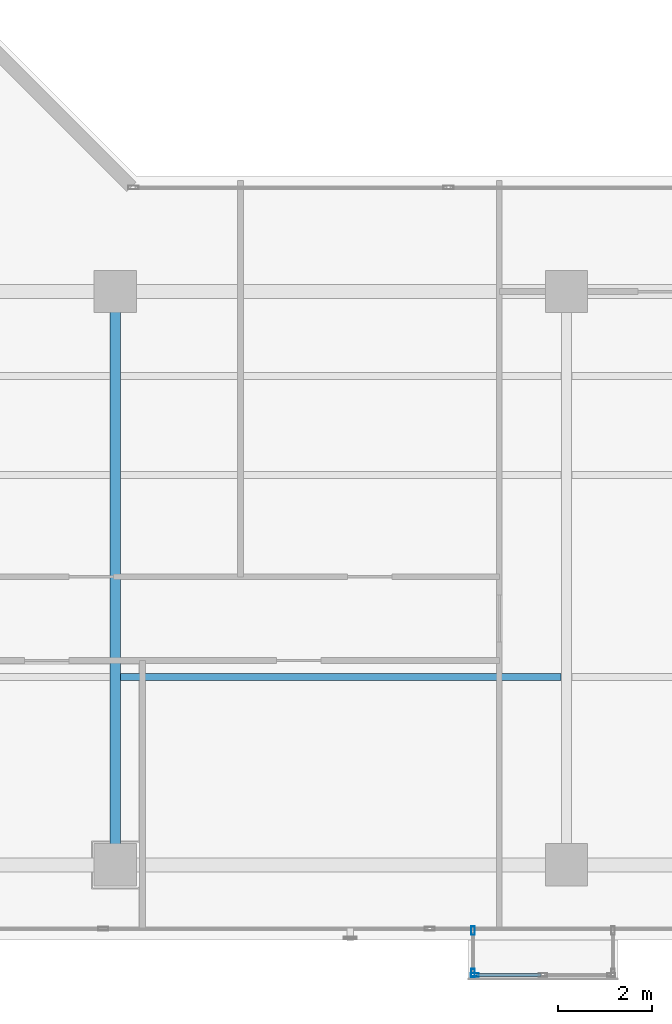
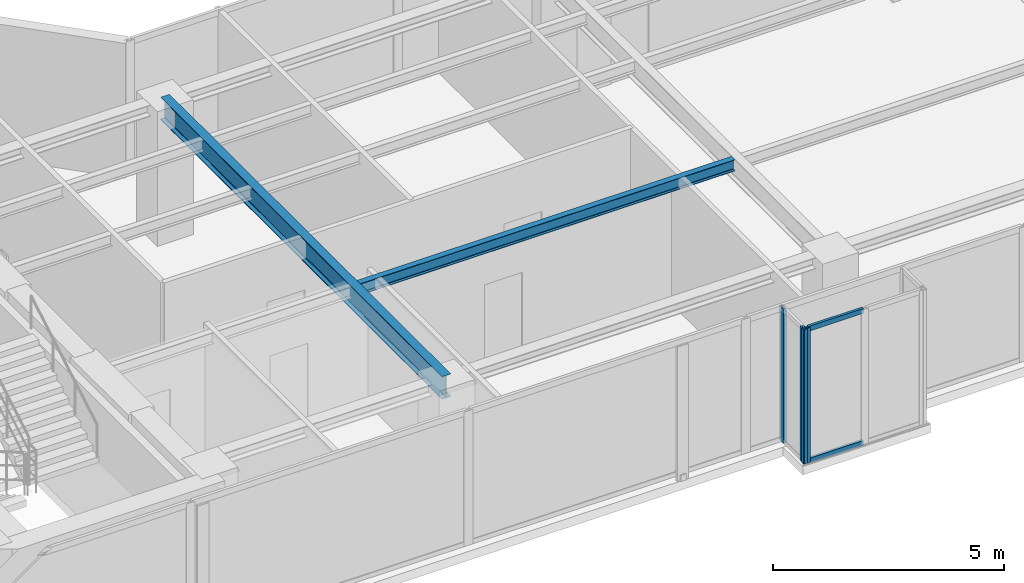
# One storey, part 5 of 24: 5 members, 2 beams, 2 elements without a shape of their own.
"""IFC4 building model written with IfcOpenShell, lengths in metres."""

from ifc_helpers import new_model, si_unit, direction, frame, origin, origin_with_axes, origin_2d, place, context, subcontext, project, spatial, hollow_rectangle, i_section, extrude, source, transform, mapped, material, layer, layer_set, material_profile, profile_set, type_object, element, aggregate, save


model = new_model("IFC4")

# Units and contexts
model_context = context("Model", 3, precision=1e-05, world=origin(), true_north=direction((0.0, 1.0)))
body_context = subcontext(model_context, "Body", "Model", "MODEL_VIEW")
ifc_project = project(units=[si_unit("LENGTHUNIT", "METRE"), si_unit("AREAUNIT", "SQUARE_METRE"), si_unit("VOLUMEUNIT", "CUBIC_METRE"), si_unit("PLANEANGLEUNIT", "RADIAN"), si_unit("MASSUNIT", "GRAM", prefix="KILO")], contexts=[model_context])

# Site, building, storey
site_placement = place(None, origin())
site = spatial("IfcSite", under=ifc_project, at=site_placement, CompositionType="ELEMENT")
building_placement = place(site_placement, origin())
building = spatial("IfcBuilding", under=site, at=building_placement, Name="Kolvaren Waterfront Exchange", CompositionType="ELEMENT")
storey_placement = place(building_placement, frame((0.0, 0.0, 316.0)))
storey = spatial("IfcBuildingStorey", under=building, at=storey_placement, Name="L81", CompositionType="ELEMENT", Elevation=316.0)

# Beams
ifc_material_1 = material(Name="Steel S355", Category="steel")
ifc_material_profile_1 = material_profile(ifc_material_1, i_section(OverallWidth=0.14990234375, OverallDepth=0.300048828125, WebThickness=0.007080078125, FlangeThickness=0.0107421875, FilletRadius=0.014892578125, at=origin_2d()), Name="IPE300")
ifc_profile_set_1 = profile_set([ifc_material_profile_1], Name="Steel S355")
beam_type_1 = type_object("IfcBeamType", Name="STR-BM-IPE300", PredefinedType="JOIST", material=ifc_profile_set_1)
beam_1_placement = place(storey_placement, frame((27.31201171875, 9.199951171875, 3.409912109375), z_axis=(1.0, 0.0, 0.0), x_axis=(0.0, 1.0, 0.0)))
element("IfcBeam", 1, at=beam_1_placement, inside=storey, type_object=beam_type_1, Name="L81 east-arm composite joist 2B", PredefinedType="JOIST", context=body_context, shape_type="SweptSolid", body=[
    extrude(i_section(OverallWidth=0.14990234375, OverallDepth=0.300048828125, WebThickness=0.007080078125, FlangeThickness=0.0107421875, FilletRadius=0.014892578125, at=origin_2d()), origin(), (0.0, 0.0, 1.0), 9.3759765625),
])
ifc_material_profile_2 = material_profile(ifc_material_1, i_section(OverallWidth=0.219970703125, OverallDepth=0.60009765625, WebThickness=0.011962890625, FlangeThickness=0.01904296875, FilletRadius=0.02392578125, at=origin_2d()), Name="IPE600")
ifc_profile_set_2 = profile_set([ifc_material_profile_2], Name="Steel S355")
beam_type_2 = type_object("IfcBeamType", Name="STR-BM-IPE600", PredefinedType="BEAM", material=ifc_profile_set_2)
beam_2_placement = place(storey_placement, frame((27.199951171875, 5.199951171875, 3.260009765625), z_axis=(0.0, 1.0, 0.0), x_axis=(-1.0, 0.0, 0.0)))
element("IfcBeam", 2, at=beam_2_placement, inside=storey, type_object=beam_type_2, Name="L81 east-arm transverse girder X27", PredefinedType="BEAM", context=body_context, shape_type="SweptSolid", body=[
    extrude(i_section(OverallWidth=0.219970703125, OverallDepth=0.60009765625, WebThickness=0.011962890625, FlangeThickness=0.01904296875, FilletRadius=0.02392578125, at=origin_2d()), origin(), (0.0, 0.0, 1.0), 12.199951171875),
])

# Curtain wall, members
ifc_material_2 = material(Name="Anodised bronze aluminium 6063-T6", Category="aluminium")
ifc_layer = layer(ifc_material_2, 0.219970703125, Name="Anodised bronze aluminium 6063-T6")
ifc_layer_set = layer_set([ifc_layer], Name="Anodised bronze aluminium 6063-T6")
curtain_wall_type = type_object("IfcCurtainWallType", Name="ARC-CW-SYS3", PredefinedType="USERDEFINED", material=ifc_layer_set)
curtain_wall_1_placement = place(storey_placement, origin())
curtain_wall_1 = element("IfcCurtainWall", 3, at=curtain_wall_1_placement, inside=storey, type_object=curtain_wall_type, Name="L81 stick curtain wall CW3 (CW-L81-BOX)", ObjectType="STICK CURTAIN WALL", PredefinedType="USERDEFINED")
ifc_material_profile_3 = material_profile(ifc_material_2, hollow_rectangle(XDim=0.06494140625, YDim=0.1298828125, WallThickness=0.00390625, at=origin_2d()), Name="ALU-TRN-130x65x4")
ifc_profile_set_3 = profile_set([ifc_material_profile_3], Name="Anodised bronze aluminium 6063-T6")
member_type_1 = type_object("IfcMemberType", Name="ARC-CWT-130", PredefinedType="USERDEFINED", material=ifc_profile_set_3)
shared_shape_1 = source(origin_with_axes(), body_context, "Body", "SweptSolid", [
    extrude(hollow_rectangle(XDim=0.06494140625, YDim=0.1298828125, WallThickness=0.00390625, at=origin_2d()), origin(), (0.0, 0.0, 1.0), 1.37744140625),
])
member_1_placement = place(storey_placement, frame((34.885009765625, 2.860107421875, 0.032470703125), z_axis=(1.0, 0.0, 0.0), x_axis=(0.0, 1.0, 0.0)))
member_1 = element("IfcMember", 4, at=member_1_placement, type_object=member_type_1, Name="CW3 transom 1.1", ObjectType="TRANSOM", PredefinedType="USERDEFINED", context=body_context, shape_type="MappedRepresentation", body=[
    mapped(shared_shape_1, transform((0.0, 0.0, 0.0), x_axis=(1.0, 0.0, 0.0), y_axis=(0.0, 1.0, 0.0), z_axis=(0.0, 0.0, 1.0), scale=1.0)),
])
member_2_placement = place(storey_placement, frame((34.885009765625, 2.860107421875, 3.527587890625), z_axis=(1.0, 0.0, 0.0), x_axis=(0.0, 1.0, 0.0)))
member_2 = element("IfcMember", 5, at=member_2_placement, type_object=member_type_1, Name="CW3 transom 1.2", ObjectType="TRANSOM", PredefinedType="USERDEFINED", context=body_context, shape_type="MappedRepresentation", body=[
    mapped(shared_shape_1, transform((0.0, 0.0, 0.0), x_axis=(1.0, 0.0, 0.0), y_axis=(0.0, 1.0, 0.0), z_axis=(0.0, 0.0, 1.0), scale=1.0)),
])

curtain_wall_2_placement = place(storey_placement, origin())
curtain_wall_2 = element("IfcCurtainWall", 6, at=curtain_wall_2_placement, inside=storey, type_object=curtain_wall_type, Name="L81 stick curtain wall CW3 (CW-L81-BOX-W)", ObjectType="STICK CURTAIN WALL", PredefinedType="USERDEFINED")
ifc_material_profile_4 = material_profile(ifc_material_2, hollow_rectangle(XDim=0.074951171875, YDim=0.179931640625, WallThickness=0.00439453125, at=origin_2d()), Name="ALU-MUL-180x75x4.5")
ifc_profile_set_4 = profile_set([ifc_material_profile_4], Name="Anodised bronze aluminium 6063-T6")
member_type_2 = type_object("IfcMemberType", Name="ARC-CWM-180", PredefinedType="MULLION", material=ifc_profile_set_4)
shared_shape_2 = source(origin_with_axes(), body_context, "Body", "SweptSolid", [
    extrude(hollow_rectangle(XDim=0.074951171875, YDim=0.179931640625, WallThickness=0.00439453125, at=origin_2d()), origin(), (0.0, 0.0, 1.0), 3.56005859375),
])
member_3_placement = place(storey_placement, frame((34.81005859375, 3.802490234375, 0.0), z_axis=(0.0, 0.0, 1.0), x_axis=(1.0, 0.0, 0.0)))
member_3 = element("IfcMember", 7, at=member_3_placement, type_object=member_type_2, Name="CW3 mullion 1", PredefinedType="MULLION", context=body_context, shape_type="MappedRepresentation", body=[
    mapped(shared_shape_2, transform((0.0, 0.0, 0.0), x_axis=(1.0, 0.0, 0.0), y_axis=(0.0, 1.0, 0.0), z_axis=(0.0, 0.0, 1.0), scale=1.0)),
])
member_4_placement = place(storey_placement, frame((34.81005859375, 2.8974609375, 0.0), z_axis=(0.0, 0.0, 1.0), x_axis=(1.0, 0.0, 0.0)))
member_4 = element("IfcMember", 8, at=member_4_placement, type_object=member_type_2, Name="CW3 mullion 2", PredefinedType="MULLION", context=body_context, shape_type="MappedRepresentation", body=[
    mapped(shared_shape_2, transform((0.0, 0.0, 0.0), x_axis=(1.0, 0.0, 0.0), y_axis=(0.0, 1.0, 0.0), z_axis=(0.0, 0.0, 1.0), scale=1.0)),
])
aggregate(curtain_wall_2, [member_3, member_4])

# Member
member_5_placement = place(storey_placement, frame((34.847412109375, 2.860107421875, 0.0), z_axis=(0.0, 0.0, 1.0), x_axis=(0.0, 1.0, 0.0)))
member_5 = element("IfcMember", 9, at=member_5_placement, type_object=member_type_2, Name="CW3 mullion 1", PredefinedType="MULLION", context=body_context, shape_type="MappedRepresentation", body=[
    mapped(shared_shape_2, transform((0.0, 0.0, 0.0), x_axis=(1.0, 0.0, 0.0), y_axis=(0.0, 1.0, 0.0), z_axis=(0.0, 0.0, 1.0), scale=1.0)),
])

aggregate(curtain_wall_1, [member_5, member_1, member_2])

save(model, "model.ifc")
